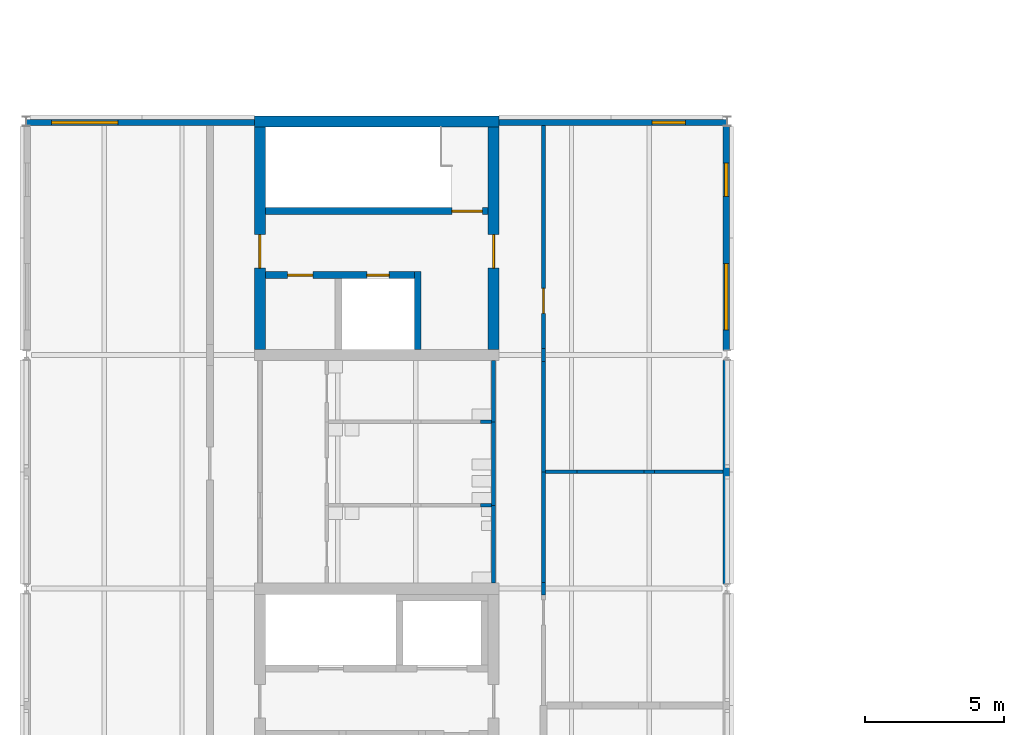
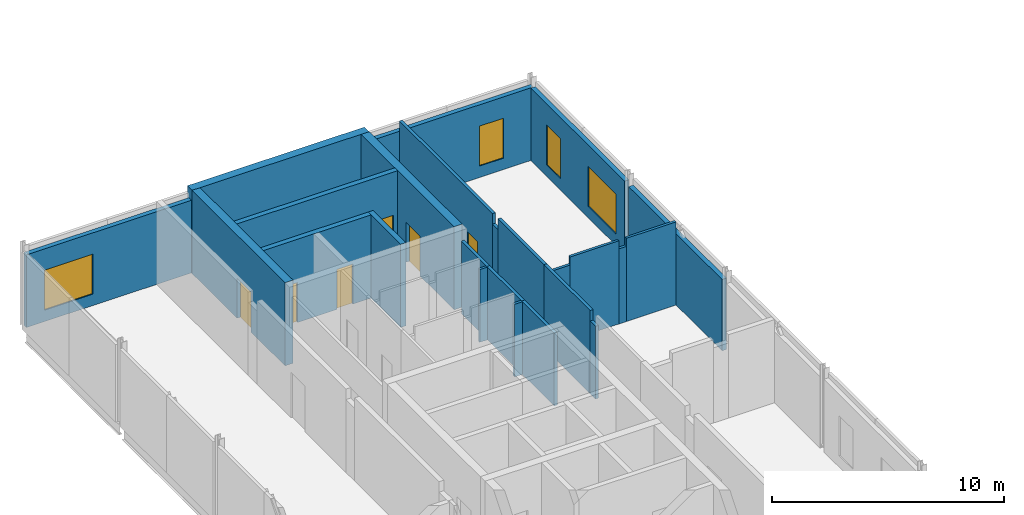
# One storey, part 15 of 26: 24 walls, 6 doors, 4 windows, 10 openings.
"""IFC4 building model written with IfcOpenShell, lengths in metres."""

from ifc_helpers import new_model, si_unit, direction, frame, frame_2d, origin, place, context, subcontext, project, spatial, rectangle, extrude, material, layer, layer_set, type_object, element, fill, save


model = new_model("IFC4")

# Units and contexts
model_context = context("Model", 3, precision=1e-05, world=origin(), true_north=direction((0.0, 1.0)))
body_context = subcontext(model_context, "Body", "Model", "MODEL_VIEW")
ifc_project = project(units=[si_unit("LENGTHUNIT", "METRE"), si_unit("AREAUNIT", "SQUARE_METRE"), si_unit("VOLUMEUNIT", "CUBIC_METRE"), si_unit("PLANEANGLEUNIT", "RADIAN"), si_unit("MASSUNIT", "GRAM", prefix="KILO")], contexts=[model_context])

# Site, building, storey
site_placement = place(None, origin())
site = spatial("IfcSite", under=ifc_project, at=site_placement, CompositionType="ELEMENT")
building_placement = place(site_placement, origin())
building = spatial("IfcBuilding", under=site, at=building_placement, Name="Hlaing Beacon Police Headquarters", CompositionType="ELEMENT")
storey_placement = place(building_placement, frame((0.0, 0.0, 23.39990234375)))
storey = spatial("IfcBuildingStorey", under=building, at=storey_placement, Name="L05", CompositionType="ELEMENT", Elevation=23.39990234375)

# Wall
ifc_material_1 = material(Name="Concrete C60/75", Category="concrete")
ifc_layer_1 = layer(ifc_material_1, 0.39990234375)
ifc_layer_set_1 = layer_set([ifc_layer_1], Name="Concrete C60/75")
wall_type_1 = type_object("IfcWallType", Name="Core shear wall 400", PredefinedType="SHEAR", material=ifc_layer_set_1)
wall_1_placement = place(storey_placement, frame((16.60009765625, 67.199951171875, 0.0), z_axis=(0.0, 0.0, 1.0), x_axis=(1.0, 0.0, 0.0)))
element("IfcWall", 1, at=wall_1_placement, inside=storey, type_object=wall_type_1, Name="Core shear wall", PredefinedType="SHEAR", context=body_context, shape_type="SweptSolid", body=[
    extrude(rectangle(XDim=8.7998046875, YDim=0.39990234375, at=frame_2d((4.39990234375, 0.0))), origin(), (0.0, 0.0, 1.0), 4.3701171875),
])

# Wall, opening, door
wall_2_placement = place(storey_placement, frame((16.800048828125, 59.0, 0.0), z_axis=(0.0, 0.0, 1.0), x_axis=(0.0, 1.0, 0.0)))
wall_2 = element("IfcWall", 2, at=wall_2_placement, inside=storey, type_object=wall_type_1, Name="Core shear wall", PredefinedType="SHEAR", context=body_context, shape_type="SweptSolid", body=[
    extrude(rectangle(XDim=8.0, YDim=0.39990234375, at=frame_2d((4.0, 0.0))), origin(), (0.0, 0.0, 1.0), 4.3701171875),
])
opening_1_placement = place(wall_2_placement, frame((2.925048828125, 0.0, 0.0)))
opening_1 = element("IfcOpeningElement", 3, at=opening_1_placement, cuts=wall_2, Name="Opening L05-923", PredefinedType="OPENING", context=body_context, shape_type="SweptSolid", body=[
    extrude(rectangle(XDim=1.199951171875, YDim=2.10009765625, at=frame_2d((0.60009765625, 1.050048828125))), frame((0.0, 0.2099609375, 0.0), z_axis=(0.0, -1.0, 0.0), x_axis=(1.0, 0.0, 0.0)), (0.0, 0.0, 1.0), 0.419921875),
])
ifc_material_2 = material(Name="Steel fire door leaf", Category="steel")
ifc_layer_2 = layer(ifc_material_2, 0.070068359375)
ifc_layer_set_2 = layer_set([ifc_layer_2], Name="Steel fire door leaf")
door_type_1 = type_object("IfcDoorType", Name="Steel fire door FD60S 1200x2100", OperationType="SINGLE_SWING_LEFT", PredefinedType="DOOR", material=ifc_layer_set_2)
door_1_placement = place(opening_1_placement, frame((1.199951171875, 0.0, 0.0), z_axis=(0.0, 0.0, 1.0), x_axis=(-1.0, 0.0, 0.0)))
door_1 = element("IfcDoor", 4, at=door_1_placement, inside=storey, type_object=door_type_1, Name="Door Stair Lobby ST-P Entry", OperationType="SINGLE_SWING_LEFT", OverallHeight=2.10009765625, OverallWidth=1.199951171875, PredefinedType="DOOR", context=body_context, shape_type="SweptSolid", body=[
    extrude(rectangle(XDim=1.199951171875, YDim=2.10009765625, at=frame_2d((0.599853515625, 1.050048828125))), frame((0.0, 0.034912109375, 0.0), z_axis=(0.0, -1.0, 0.0), x_axis=(1.0, 0.0, 0.0)), (0.0, 0.0, 1.0), 0.070068359375),
])
fill(opening_1, door_1)

wall_3_placement = place(storey_placement, frame((25.199951171875, 59.0, 0.0), z_axis=(0.0, 0.0, 1.0), x_axis=(0.0, 1.0, 0.0)))
wall_3 = element("IfcWall", 5, at=wall_3_placement, inside=storey, type_object=wall_type_1, Name="Core shear wall", PredefinedType="SHEAR", context=body_context, shape_type="SweptSolid", body=[
    extrude(rectangle(XDim=8.0, YDim=0.39990234375, at=frame_2d((4.0, 0.0))), origin(), (0.0, 0.0, 1.0), 4.3701171875),
])
opening_2_placement = place(wall_3_placement, frame((2.925048828125, 0.0, 0.0)))
opening_2 = element("IfcOpeningElement", 6, at=opening_2_placement, cuts=wall_3, Name="Opening L05-924", PredefinedType="OPENING", context=body_context, shape_type="SweptSolid", body=[
    extrude(rectangle(XDim=1.199951171875, YDim=2.10009765625, at=frame_2d((0.60009765625, 1.050048828125))), frame((0.0, 0.2099609375, 0.0), z_axis=(0.0, -1.0, 0.0), x_axis=(1.0, 0.0, 0.0)), (0.0, 0.0, 1.0), 0.419921875),
])
door_2_placement = place(opening_2_placement, origin())
door_2 = element("IfcDoor", 7, at=door_2_placement, inside=storey, type_object=door_type_1, Name="Door Stair Lobby ST-P Entry", OperationType="SINGLE_SWING_RIGHT", OverallHeight=2.10009765625, OverallWidth=1.199951171875, PredefinedType="DOOR", context=body_context, shape_type="SweptSolid", body=[
    extrude(rectangle(XDim=1.199951171875, YDim=2.10009765625, at=frame_2d((0.60009765625, 1.050048828125))), frame((0.0, 0.03515625, 0.0), z_axis=(0.0, -1.0, 0.0), x_axis=(1.0, 0.0, 0.0)), (0.0, 0.0, 1.0), 0.070068359375),
])
fill(opening_2, door_2)

# Walls
ifc_material_3 = material(Name="Gypsum board partition")
ifc_layer_3 = layer(ifc_material_3, 0.14990234375)
ifc_layer_set_3 = layer_set([ifc_layer_3], Name="Gypsum board partition")
wall_type_2 = type_object("IfcWallType", Name="Corridor wall EI 30 150", PredefinedType="PARTITIONING", material=ifc_layer_set_3)
wall_4_placement = place(storey_placement, frame((27.0, 50.169921875, 0.0), z_axis=(0.0, 0.0, 1.0), x_axis=(0.0, 1.0, 0.0)))
element("IfcWall", 8, at=wall_4_placement, inside=storey, type_object=wall_type_2, Name="Corridor wall EI 30 150", PredefinedType="PARTITIONING", context=body_context, shape_type="SweptSolid", body=[
    extrude(rectangle(XDim=0.4599609375, YDim=0.14990234375, at=frame_2d((0.22998046875, 0.0))), origin(), (0.0, 0.0, 1.0), 3.817138671875),
])
wall_5_placement = place(storey_placement, frame((27.0, 50.6298828125, 0.0), z_axis=(0.0, 0.0, 1.0), x_axis=(0.0, 1.0, 0.0)))
element("IfcWall", 9, at=wall_5_placement, inside=storey, type_object=wall_type_2, Name="Corridor wall EI 30 150", PredefinedType="PARTITIONING", context=body_context, shape_type="SweptSolid", body=[
    extrude(rectangle(XDim=3.97021484375, YDim=0.14990234375, at=frame_2d((1.985107421875, 0.0))), origin(), (0.0, 0.0, 1.0), 4.3701171875),
])
wall_6_placement = place(storey_placement, frame((27.0, 54.60009765625, 0.0), z_axis=(0.0, 0.0, 1.0), x_axis=(0.0, 1.0, 0.0)))
element("IfcWall", 10, at=wall_6_placement, inside=storey, type_object=wall_type_2, Name="Corridor wall EI 30 150", PredefinedType="PARTITIONING", context=body_context, shape_type="SweptSolid", body=[
    extrude(rectangle(XDim=3.969970703125, YDim=0.14990234375, at=frame_2d((1.98486328125, 0.0))), origin(), (0.0, 0.0, 1.0), 4.3701171875),
])
wall_7_placement = place(storey_placement, frame((27.0, 58.570068359375, 0.0), z_axis=(0.0, 0.0, 1.0), x_axis=(0.0, 1.0, 0.0)))
element("IfcWall", 11, at=wall_7_placement, inside=storey, type_object=wall_type_2, Name="Corridor wall EI 30 150", PredefinedType="PARTITIONING", context=body_context, shape_type="SweptSolid", body=[
    extrude(rectangle(XDim=0.4599609375, YDim=0.14990234375, at=frame_2d((0.22998046875, 0.0))), origin(), (0.0, 0.0, 1.0), 3.817138671875),
])

# Wall, opening, door
wall_8_placement = place(storey_placement, frame((27.0, 59.030029296875, 0.0), z_axis=(0.0, 0.0, 1.0), x_axis=(0.0, 1.0, 0.0)))
wall_8 = element("IfcWall", 12, at=wall_8_placement, inside=storey, type_object=wall_type_2, Name="Corridor wall EI 30 150", PredefinedType="PARTITIONING", context=body_context, shape_type="SweptSolid", body=[
    extrude(rectangle(XDim=8.02001953125, YDim=0.14990234375, at=frame_2d((4.010009765625, 0.0))), origin(), (0.0, 0.0, 1.0), 4.3701171875),
])
opening_3_placement = place(wall_8_placement, frame((1.27001953125, 0.0, 0.0)))
opening_3 = element("IfcOpeningElement", 13, at=opening_3_placement, cuts=wall_8, Name="Opening L05-012", PredefinedType="OPENING", context=body_context, shape_type="SweptSolid", body=[
    extrude(rectangle(XDim=0.89990234375, YDim=2.10009765625, at=frame_2d((0.449951171875, 1.050048828125))), frame((0.0, 0.0849609375, 0.0), z_axis=(0.0, -1.0, 0.0), x_axis=(1.0, 0.0, 0.0)), (0.0, 0.0, 1.0), 0.169921875),
])
ifc_material_4 = material(Name="Hardwood door leaf", Category="wood")
ifc_layer_4 = layer(ifc_material_4, 0.050048828125)
ifc_layer_set_4 = layer_set([ifc_layer_4], Name="Hardwood door leaf")
door_type_2 = type_object("IfcDoorType", Name="Fire door FD30S 900x2100", OperationType="SINGLE_SWING_LEFT", PredefinedType="DOOR", material=ifc_layer_set_4)
door_3_placement = place(opening_3_placement, frame((0.89990234375, 0.0, 0.0), z_axis=(0.0, 0.0, 1.0), x_axis=(-1.0, 0.0, 0.0)))
door_3 = element("IfcDoor", 14, at=door_3_placement, inside=storey, type_object=door_type_2, Name="Door Laboratory Offices", OperationType="SINGLE_SWING_RIGHT", OverallHeight=2.10009765625, OverallWidth=0.89990234375, PredefinedType="DOOR", context=body_context, shape_type="SweptSolid", body=[
    extrude(rectangle(XDim=0.89990234375, YDim=2.10009765625, at=frame_2d((0.449951171875, 1.050048828125))), frame((0.0, 0.025146484375, 0.0), z_axis=(0.0, -1.0, 0.0), x_axis=(1.0, 0.0, 0.0)), (0.0, 0.0, 1.0), 0.050048828125),
])
fill(opening_3, door_3)

# Walls
wall_9_placement = place(storey_placement, frame((25.199951171875, 56.39990234375, 0.0), z_axis=(0.0, 0.0, 1.0), x_axis=(0.0, 1.0, 0.0)))
element("IfcWall", 15, at=wall_9_placement, inside=storey, type_object=wall_type_2, Name="Corridor wall EI 30 150", PredefinedType="PARTITIONING", context=body_context, shape_type="SweptSolid", body=[
    extrude(rectangle(XDim=2.2001953125, YDim=0.14990234375, at=frame_2d((1.10009765625, 0.0))), origin(), (0.0, 0.0, 1.0), 3.817138671875),
])
wall_10_placement = place(storey_placement, frame((25.199951171875, 53.39990234375, 0.0), z_axis=(0.0, 0.0, 1.0), x_axis=(0.0, 1.0, 0.0)))
element("IfcWall", 16, at=wall_10_placement, inside=storey, type_object=wall_type_2, Name="Corridor wall EI 30 150", PredefinedType="PARTITIONING", context=body_context, shape_type="SweptSolid", body=[
    extrude(rectangle(XDim=3.0, YDim=0.14990234375, at=frame_2d((1.5, 0.0))), origin(), (0.0, 0.0, 1.0), 3.817138671875),
])
wall_11_placement = place(storey_placement, frame((25.199951171875, 50.60009765625, 0.0), z_axis=(0.0, 0.0, 1.0), x_axis=(0.0, 1.0, 0.0)))
element("IfcWall", 17, at=wall_11_placement, inside=storey, type_object=wall_type_2, Name="Corridor wall EI 30 150", PredefinedType="PARTITIONING", context=body_context, shape_type="SweptSolid", body=[
    extrude(rectangle(XDim=2.7998046875, YDim=0.14990234375, at=frame_2d((1.39990234375, 0.0))), origin(), (0.0, 0.0, 1.0), 3.817138671875),
])
ifc_material_5 = material(Name="Gypsum board partition")
ifc_layer_5 = layer(ifc_material_5, 0.125)
ifc_layer_set_5 = layer_set([ifc_layer_5], Name="Gypsum board partition")
wall_type_3 = type_object("IfcWallType", Name="Partition 125", PredefinedType="PARTITIONING", material=ifc_layer_set_5)
wall_12_placement = place(storey_placement, frame((27.074951171875, 54.60009765625, 0.0), z_axis=(0.0, 0.0, 1.0), x_axis=(1.0, 0.0, 0.0)))
element("IfcWall", 18, at=wall_12_placement, inside=storey, type_object=wall_type_3, Name="Partition 125", PredefinedType="PARTITIONING", context=body_context, shape_type="SweptSolid", body=[
    extrude(rectangle(XDim=1.116943359375, YDim=0.125, at=frame_2d((0.55859375, 0.0))), origin(), (0.0, 0.0, 1.0), 3.946044921875),
])
wall_13_placement = place(storey_placement, frame((28.19189453125, 54.60009765625, 0.0), z_axis=(0.0, 0.0, 1.0), x_axis=(1.0, 0.0, 0.0)))
element("IfcWall", 19, at=wall_13_placement, inside=storey, type_object=wall_type_3, Name="Partition 125", PredefinedType="PARTITIONING", context=body_context, shape_type="SweptSolid", body=[
    extrude(rectangle(XDim=2.416015625, YDim=0.125, at=frame_2d((1.2080078125, 0.0))), origin(), (0.0, 0.0, 1.0), 4.3701171875),
])
wall_14_placement = place(storey_placement, frame((30.60791015625, 54.60009765625, 0.0), z_axis=(0.0, 0.0, 1.0), x_axis=(1.0, 0.0, 0.0)))
element("IfcWall", 20, at=wall_14_placement, inside=storey, type_object=wall_type_3, Name="Partition 125", PredefinedType="PARTITIONING", context=body_context, shape_type="SweptSolid", body=[
    extrude(rectangle(XDim=0.384033203125, YDim=0.125, at=frame_2d((0.19189453125, 0.0))), origin(), (0.0, 0.0, 1.0), 3.946044921875),
])
wall_15_placement = place(storey_placement, frame((30.991943359375, 54.60009765625, 0.0), z_axis=(0.0, 0.0, 1.0), x_axis=(1.0, 0.0, 0.0)))
element("IfcWall", 21, at=wall_15_placement, inside=storey, type_object=wall_type_3, Name="Partition 125", PredefinedType="PARTITIONING", context=body_context, shape_type="SweptSolid", body=[
    extrude(rectangle(XDim=2.4580078125, YDim=0.125, at=frame_2d((1.22900390625, 0.0))), origin(), (0.0, 0.0, 1.0), 4.3701171875),
])
for number, where, z_axis, x_axis, name in (
    (22, (24.739990234375, 56.39990234375, 0.0), (0.0, 0.0, 1.0), (1.0, 0.0, 0.0), "Partition 125"),
    (23, (24.739990234375, 53.39990234375, 0.0), (0.0, 0.0, 1.0), (1.0, 0.0, 0.0), "Partition 125"),
):
    element("IfcWall", number, at=place(storey_placement, frame(where, z_axis=z_axis, x_axis=x_axis)), inside=storey, type_object=wall_type_3, Name=name, PredefinedType="PARTITIONING", context=body_context, shape_type="SweptSolid", body=[
        extrude(rectangle(XDim=0.385009765625, YDim=0.125, at=frame_2d((0.1923828125, 0.0))), origin(), (0.0, 0.0, 1.0), 3.817138671875),
    ])
ifc_material_6 = material(Name="Fibre cement ribbed cladding on insulated frame")
ifc_layer_6 = layer(ifc_material_6, 0.22509765625)
ifc_layer_set_6 = layer_set([ifc_layer_6], Name="Fibre cement ribbed cladding on insulated frame")
wall_type_4 = type_object("IfcWallType", Name="Ribbed fibre-cement clad wall 225", PredefinedType="SOLIDWALL", material=ifc_layer_set_6)
wall_16_placement = place(storey_placement, frame((33.5625, 50.570068359375, 0.0), z_axis=(0.0, 0.0, 1.0), x_axis=(0.0, 1.0, 0.0)))
element("IfcWall", 24, at=wall_16_placement, inside=storey, type_object=wall_type_4, Name="External wall L05 E005", PredefinedType="SOLIDWALL", context=body_context, shape_type="SweptSolid", body=[
    extrude(rectangle(XDim=8.059814453125, YDim=0.22509765625, at=frame_2d((4.02978515625, 0.0))), origin(), (0.0, 0.0, 1.0), 3.74609375),
])

# Wall, openings, windows
wall_17_placement = place(storey_placement, frame((33.5625, 58.969970703125, 0.0), z_axis=(0.0, 0.0, 1.0), x_axis=(0.0, 1.0, 0.0)))
wall_17 = element("IfcWall", 25, at=wall_17_placement, inside=storey, type_object=wall_type_4, Name="External wall L05 E006", PredefinedType="SOLIDWALL", context=body_context, shape_type="SweptSolid", body=[
    extrude(rectangle(XDim=8.059814453125, YDim=0.22509765625, at=frame_2d((4.02978515625, 0.0))), origin(), (0.0, 0.0, 1.0), 3.819091796875),
])
opening_4_placement = place(wall_17_placement, frame((0.72998046875, 0.0, 0.60009765625)))
opening_4 = element("IfcOpeningElement", 26, at=opening_4_placement, cuts=wall_17, Name="Opening WN8", PredefinedType="OPENING", context=body_context, shape_type="SweptSolid", body=[
    extrude(rectangle(XDim=2.39990234375, YDim=2.10009765625, at=frame_2d((1.199951171875, 1.050048828125))), frame((0.0, 0.12255859375, 0.0), z_axis=(0.0, -1.0, 0.0), x_axis=(1.0, 0.0, 0.0)), (0.0, 0.0, 1.0), 0.2451171875),
])
opening_5_placement = place(wall_17_placement, frame((5.530029296875, 0.0, 0.60009765625)))
opening_5 = element("IfcOpeningElement", 27, at=opening_5_placement, cuts=wall_17, Name="Opening WN35", PredefinedType="OPENING", context=body_context, shape_type="SweptSolid", body=[
    extrude(rectangle(XDim=1.199951171875, YDim=2.10009765625, at=frame_2d((0.60009765625, 1.050048828125))), frame((0.0, 0.12255859375, 0.0), z_axis=(0.0, -1.0, 0.0), x_axis=(1.0, 0.0, 0.0)), (0.0, 0.0, 1.0), 0.2451171875),
])
ifc_material_7 = material(Name="Aluminium louvre blades", Category="aluminium")
window_type_1 = type_object("IfcWindowType", Name="Louvred bay 1200 1200x2100 frame 120", PartitioningType="SINGLE_PANEL", PredefinedType="WINDOW", material=ifc_material_7)
window_1_placement = place(opening_5_placement, origin())
window_1 = element("IfcWindow", 28, at=window_1_placement, inside=storey, type_object=window_type_1, Name="Louvre L05 WL2", OverallHeight=2.10009765625, OverallWidth=1.199951171875, PartitioningType="SINGLE_PANEL", PredefinedType="WINDOW", context=body_context, shape_type="SweptSolid", body=[
    extrude(rectangle(XDim=1.199951171875, YDim=2.10009765625, at=frame_2d((0.60009765625, 1.050048828125))), frame((0.0, 0.06005859375, 0.0), z_axis=(0.0, -1.0, 0.0), x_axis=(1.0, 0.0, 0.0)), (0.0, 0.0, 1.0), 0.1201171875),
])
fill(opening_5, window_1)
ifc_material_8 = material(Name="Aluminium louvre blades", Category="aluminium")
window_type_2 = type_object("IfcWindowType", Name="Louvred bay 2400 2400x2100 frame 120", PartitioningType="SINGLE_PANEL", PredefinedType="WINDOW", material=ifc_material_8)
window_2_placement = place(opening_4_placement, origin())
window_2 = element("IfcWindow", 29, at=window_2_placement, inside=storey, type_object=window_type_2, Name="Louvre L05 WL3", OverallHeight=2.10009765625, OverallWidth=2.39990234375, PartitioningType="SINGLE_PANEL", PredefinedType="WINDOW", context=body_context, shape_type="SweptSolid", body=[
    extrude(rectangle(XDim=2.39990234375, YDim=2.10009765625, at=frame_2d((1.199951171875, 1.050048828125))), frame((0.0, 0.06005859375, 0.0), z_axis=(0.0, -1.0, 0.0), x_axis=(1.0, 0.0, 0.0)), (0.0, 0.0, 1.0), 0.1201171875),
])
fill(opening_4, window_2)

# Wall, opening, window
wall_18_placement = place(storey_placement, frame((33.594482421875, 67.16259765625, 0.0), z_axis=(0.0, 0.0, 1.0), x_axis=(-1.0, 0.0, 0.0)))
wall_18 = element("IfcWall", 30, at=wall_18_placement, inside=storey, type_object=wall_type_4, Name="External wall L05 N007", PredefinedType="SOLIDWALL", context=body_context, shape_type="SweptSolid", body=[
    extrude(rectangle(XDim=8.194580078125, YDim=0.22509765625, at=frame_2d((4.09716796875, 0.0))), origin(), (0.0, 0.0, 1.0), 3.819091796875),
])
opening_6_placement = place(wall_18_placement, frame((1.49462890625, 0.0, 0.60009765625)))
opening_6 = element("IfcOpeningElement", 31, at=opening_6_placement, cuts=wall_18, Name="Opening WN35", PredefinedType="OPENING", context=body_context, shape_type="SweptSolid", body=[
    extrude(rectangle(XDim=1.199951171875, YDim=2.10009765625, at=frame_2d((0.60009765625, 1.050048828125))), frame((0.0, 0.12255859375, 0.0), z_axis=(0.0, -1.0, 0.0), x_axis=(1.0, 0.0, 0.0)), (0.0, 0.0, 1.0), 0.2451171875),
])
window_3_placement = place(opening_6_placement, origin())
window_3 = element("IfcWindow", 32, at=window_3_placement, inside=storey, type_object=window_type_1, Name="Louvre L05 WL2", OverallHeight=2.10009765625, OverallWidth=1.199951171875, PartitioningType="SINGLE_PANEL", PredefinedType="WINDOW", context=body_context, shape_type="SweptSolid", body=[
    extrude(rectangle(XDim=1.199951171875, YDim=2.10009765625, at=frame_2d((0.60009765625, 1.050048828125))), frame((0.0, 0.06005859375, 0.0), z_axis=(0.0, -1.0, 0.0), x_axis=(1.0, 0.0, 0.0)), (0.0, 0.0, 1.0), 0.1201171875),
])
fill(opening_6, window_3)

wall_19_placement = place(storey_placement, frame((16.60009765625, 67.16259765625, 0.0), z_axis=(0.0, 0.0, 1.0), x_axis=(-1.0, 0.0, 0.0)))
wall_19 = element("IfcWall", 33, at=wall_19_placement, inside=storey, type_object=wall_type_4, Name="External wall L05 N008", PredefinedType="SOLIDWALL", context=body_context, shape_type="SweptSolid", body=[
    extrude(rectangle(XDim=8.194580078125, YDim=0.22509765625, at=frame_2d((4.09716796875, 0.0))), origin(), (0.0, 0.0, 1.0), 3.819091796875),
])
opening_7_placement = place(wall_19_placement, frame((4.89990234375, 0.0, 0.60009765625)))
opening_7 = element("IfcOpeningElement", 34, at=opening_7_placement, cuts=wall_19, Name="Opening WN8", PredefinedType="OPENING", context=body_context, shape_type="SweptSolid", body=[
    extrude(rectangle(XDim=2.39990234375, YDim=2.10009765625, at=frame_2d((1.199951171875, 1.050048828125))), frame((0.0, 0.12255859375, 0.0), z_axis=(0.0, -1.0, 0.0), x_axis=(1.0, 0.0, 0.0)), (0.0, 0.0, 1.0), 0.2451171875),
])
window_4_placement = place(opening_7_placement, origin())
window_4 = element("IfcWindow", 35, at=window_4_placement, inside=storey, type_object=window_type_2, Name="Louvre L05 WL3", OverallHeight=2.10009765625, OverallWidth=2.39990234375, PartitioningType="SINGLE_PANEL", PredefinedType="WINDOW", context=body_context, shape_type="SweptSolid", body=[
    extrude(rectangle(XDim=2.39990234375, YDim=2.10009765625, at=frame_2d((1.199951171875, 1.050048828125))), frame((0.0, 0.06005859375, 0.0), z_axis=(0.0, -1.0, 0.0), x_axis=(1.0, 0.0, 0.0)), (0.0, 0.0, 1.0), 0.1201171875),
])
fill(opening_7, window_4)

# Wall, opening, door
ifc_material_9 = material(Name="Concrete C40/50", Category="concrete")
ifc_layer_7 = layer(ifc_material_9, 0.25)
ifc_layer_set_7 = layer_set([ifc_layer_7], Name="Concrete C40/50")
wall_type_5 = type_object("IfcWallType", Name="Shaft wall 250", PredefinedType="SOLIDWALL", material=ifc_layer_set_7)
wall_20_placement = place(storey_placement, frame((25.0, 63.97509765625, 0.0), z_axis=(0.0, 0.0, 1.0), x_axis=(-1.0, 0.0, 0.0)))
wall_20 = element("IfcWall", 36, at=wall_20_placement, inside=storey, type_object=wall_type_5, Name="Stair enclosure wall", PredefinedType="SOLIDWALL", context=body_context, shape_type="SweptSolid", body=[
    extrude(rectangle(XDim=8.0, YDim=0.25, at=frame_2d((4.0, 0.0))), origin(), (0.0, 0.0, 1.0), 4.3701171875),
])
opening_8_placement = place(wall_20_placement, frame((0.199951171875, 0.0, 0.0)))
opening_8 = element("IfcOpeningElement", 37, at=opening_8_placement, cuts=wall_20, Name="Opening L05-926", PredefinedType="OPENING", context=body_context, shape_type="SweptSolid", body=[
    extrude(rectangle(XDim=1.10009765625, YDim=2.10009765625, at=frame_2d((0.550048828125, 1.050048828125))), frame((0.0, 0.135009765625, 0.0), z_axis=(0.0, -1.0, 0.0), x_axis=(1.0, 0.0, 0.0)), (0.0, 0.0, 1.0), 0.27001953125),
])
ifc_material_10 = material(Name="Steel fire door leaf", Category="steel")
ifc_layer_8 = layer(ifc_material_10, 0.070068359375)
ifc_layer_set_8 = layer_set([ifc_layer_8], Name="Steel fire door leaf")
door_type_3 = type_object("IfcDoorType", Name="Steel fire door FD60 1100x2100", OperationType="SINGLE_SWING_LEFT", PredefinedType="DOOR", material=ifc_layer_set_8)
door_4_placement = place(opening_8_placement, frame((1.10009765625, 0.0, 0.0), z_axis=(0.0, 0.0, 1.0), x_axis=(-1.0, 0.0, 0.0)))
door_4 = element("IfcDoor", 38, at=door_4_placement, inside=storey, type_object=door_type_3, Name="Door Stair ST-P", OperationType="SINGLE_SWING_LEFT", OverallHeight=2.10009765625, OverallWidth=1.10009765625, PredefinedType="DOOR", context=body_context, shape_type="SweptSolid", body=[
    extrude(rectangle(XDim=1.10009765625, YDim=2.10009765625, at=frame_2d((0.550048828125, 1.050048828125))), frame((0.0, 0.034912109375, 0.0), z_axis=(0.0, -1.0, 0.0), x_axis=(1.0, 0.0, 0.0)), (0.0, 0.0, 1.0), 0.070068359375),
])
fill(opening_8, door_4)

# Wall
wall_21_placement = place(storey_placement, frame((22.47509765625, 61.800048828125, 0.0), z_axis=(0.0, 0.0, 1.0), x_axis=(0.0, -1.0, 0.0)))
element("IfcWall", 39, at=wall_21_placement, inside=storey, type_object=wall_type_5, Name="Lobby wall", PredefinedType="SOLIDWALL", context=body_context, shape_type="SweptSolid", body=[
    extrude(rectangle(XDim=2.800048828125, YDim=0.25, at=frame_2d((1.39990234375, 0.0))), origin(), (0.0, 0.0, 1.0), 4.3701171875),
])

# Wall, openings, doors
wall_22_placement = place(storey_placement, frame((22.35009765625, 61.675048828125, 0.0), z_axis=(0.0, 0.0, 1.0), x_axis=(-1.0, 0.0, 0.0)))
wall_22 = element("IfcWall", 40, at=wall_22_placement, inside=storey, type_object=wall_type_5, Name="Lobby wall", PredefinedType="SOLIDWALL", context=body_context, shape_type="SweptSolid", body=[
    extrude(rectangle(XDim=5.35009765625, YDim=0.25, at=frame_2d((2.675048828125, 0.0))), origin(), (0.0, 0.0, 1.0), 4.3701171875),
])
opening_9_placement = place(wall_22_placement, frame((3.64990234375, 0.0, 0.0)))
opening_9 = element("IfcOpeningElement", 41, at=opening_9_placement, cuts=wall_22, Name="Opening L05-922", PredefinedType="OPENING", context=body_context, shape_type="SweptSolid", body=[
    extrude(rectangle(XDim=0.89990234375, YDim=2.10009765625, at=frame_2d((0.449951171875, 1.050048828125))), frame((0.0, 0.135009765625, 0.0), z_axis=(0.0, -1.0, 0.0), x_axis=(1.0, 0.0, 0.0)), (0.0, 0.0, 1.0), 0.27001953125),
])
opening_10_placement = place(wall_22_placement, frame((0.89990234375, 0.0, 0.0)))
opening_10 = element("IfcOpeningElement", 42, at=opening_10_placement, cuts=wall_22, Name="Opening L05-925", PredefinedType="OPENING", context=body_context, shape_type="SweptSolid", body=[
    extrude(rectangle(XDim=0.800048828125, YDim=2.10009765625, at=frame_2d((0.39990234375, 1.050048828125))), frame((0.0, 0.135009765625, 0.0), z_axis=(0.0, -1.0, 0.0), x_axis=(1.0, 0.0, 0.0)), (0.0, 0.0, 1.0), 0.27001953125),
])
ifc_material_11 = material(Name="Steel fire door leaf", Category="steel")
ifc_layer_9 = layer(ifc_material_11, 0.070068359375)
ifc_layer_set_9 = layer_set([ifc_layer_9], Name="Steel fire door leaf")
door_type_4 = type_object("IfcDoorType", Name="Steel fire door FD60 800x2100", OperationType="SINGLE_SWING_LEFT", PredefinedType="DOOR", material=ifc_layer_set_9)
door_5_placement = place(opening_10_placement, origin())
door_5 = element("IfcDoor", 43, at=door_5_placement, inside=storey, type_object=door_type_4, Name="Door Services Riser", OperationType="SINGLE_SWING_RIGHT", OverallHeight=2.10009765625, OverallWidth=0.800048828125, PredefinedType="DOOR", context=body_context, shape_type="SweptSolid", body=[
    extrude(rectangle(XDim=0.800048828125, YDim=2.10009765625, at=frame_2d((0.39990234375, 1.050048828125))), frame((0.0, 0.03515625, 0.0), z_axis=(0.0, -1.0, 0.0), x_axis=(1.0, 0.0, 0.0)), (0.0, 0.0, 1.0), 0.070068359375),
])
fill(opening_10, door_5)
ifc_material_12 = material(Name="Steel fire door leaf", Category="steel")
ifc_layer_10 = layer(ifc_material_12, 0.070068359375)
ifc_layer_set_10 = layer_set([ifc_layer_10], Name="Steel fire door leaf")
door_type_5 = type_object("IfcDoorType", Name="Steel fire door FD60 900x2100", OperationType="SINGLE_SWING_LEFT", PredefinedType="DOOR", material=ifc_layer_set_10)
door_6_placement = place(opening_9_placement, origin())
door_6 = element("IfcDoor", 44, at=door_6_placement, inside=storey, type_object=door_type_5, Name="Door Cleaners' Store", OperationType="SINGLE_SWING_LEFT", OverallHeight=2.10009765625, OverallWidth=0.89990234375, PredefinedType="DOOR", context=body_context, shape_type="SweptSolid", body=[
    extrude(rectangle(XDim=0.89990234375, YDim=2.10009765625, at=frame_2d((0.449951171875, 1.050048828125))), frame((0.0, 0.03515625, 0.0), z_axis=(0.0, -1.0, 0.0), x_axis=(1.0, 0.0, 0.0)), (0.0, 0.0, 1.0), 0.070068359375),
])
fill(opening_9, door_6)

save(model, "model.ifc")
